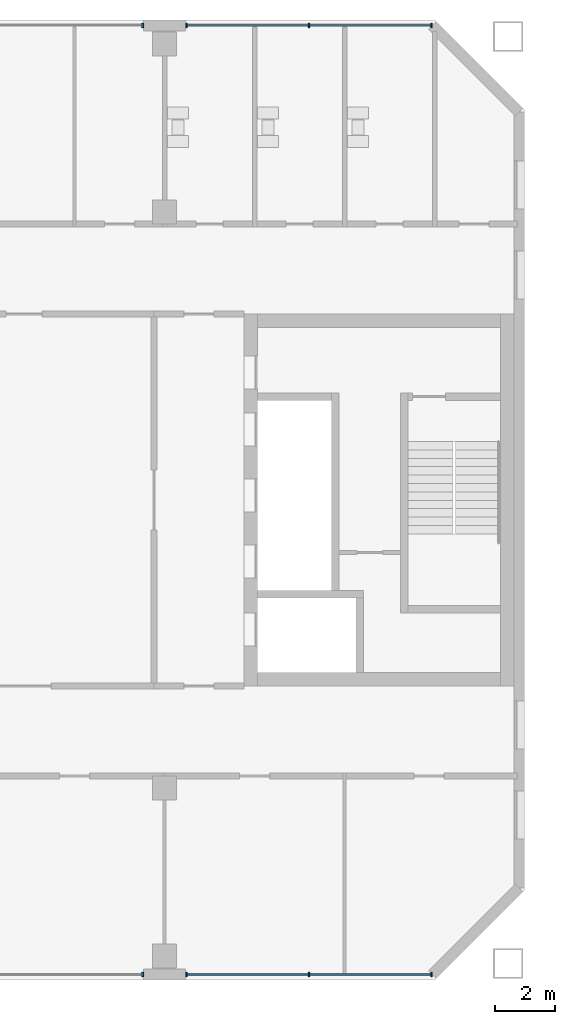
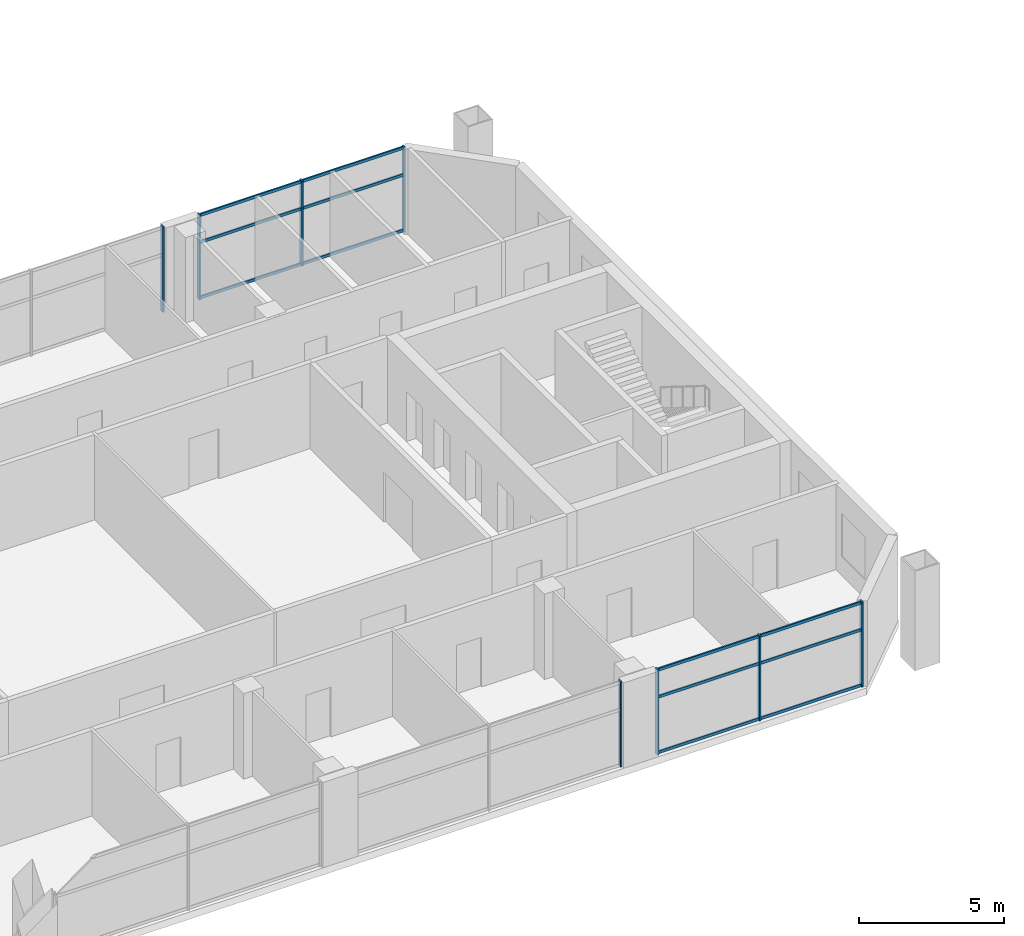
# One storey, part 4 of 19: 20 members, 4 elements without a shape of their own.
"""IFC4 building model written with IfcOpenShell, lengths in metres."""

from ifc_helpers import new_model, si_unit, direction, frame, origin, origin_2d, place, context, subcontext, project, spatial, rectangle, extrude, material, material_profile, profile_set, type_object, element, aggregate, save


model = new_model("IFC4")

# Units and contexts
model_context = context("Model", 3, precision=1e-05, world=origin(), true_north=direction((0.0, 1.0)))
body_context = subcontext(model_context, "Body", "Model", "MODEL_VIEW")
ifc_project = project(units=[si_unit("LENGTHUNIT", "METRE"), si_unit("AREAUNIT", "SQUARE_METRE"), si_unit("VOLUMEUNIT", "CUBIC_METRE"), si_unit("PLANEANGLEUNIT", "RADIAN"), si_unit("MASSUNIT", "GRAM", prefix="KILO")], contexts=[model_context])

# Site, building, storey
site_placement = place(None, origin())
site = spatial("IfcSite", under=ifc_project, at=site_placement, CompositionType="ELEMENT")
building_placement = place(site_placement, origin())
building = spatial("IfcBuilding", under=site, at=building_placement, Name="Tuart Gate Housing", CompositionType="ELEMENT")
storey_placement = place(building_placement, frame((0.0, 0.0, 171.60009765625)))
storey = spatial("IfcBuildingStorey", under=building, at=storey_placement, Name="L48", CompositionType="ELEMENT", Elevation=171.60009765625)

# Curtain wall, member
ifc_material_1 = material(Name="Aluminium and clear glass", Category="aluminium")
curtain_wall_type = type_object("IfcCurtainWallType", Name="Community floor glazing", PredefinedType="USERDEFINED", material=ifc_material_1)
curtain_wall_1_placement = place(storey_placement, origin())
curtain_wall_1 = element("IfcCurtainWall", 1, at=curtain_wall_1_placement, inside=storey, type_object=curtain_wall_type, Name="Community floor glazing A-S L48", ObjectType="COMMUNITY FLOOR GLAZING", PredefinedType="USERDEFINED")
ifc_material_2 = material(Name="Anodised aluminium", Category="aluminium")
ifc_material_profile_1 = material_profile(ifc_material_2, rectangle(XDim=0.06005859375, YDim=0.159912109375, at=origin_2d()), Name="60x160")
ifc_profile_set_1 = profile_set([ifc_material_profile_1], Name="Anodised aluminium")
member_type_1 = type_object("IfcMemberType", Name="Mullion 60 x 160", PredefinedType="MULLION", material=ifc_profile_set_1)
member_1_placement = place(storey_placement, frame((63.27001953125, 54.179931640625, 0.0), z_axis=(0.0, 0.0, 1.0), x_axis=(1.0, 0.0, 0.0)))
member_1 = element("IfcMember", 2, at=member_1_placement, type_object=member_type_1, Name="CW3 mullion 3", PredefinedType="MULLION", context=body_context, shape_type="SweptSolid", body=[
    extrude(rectangle(XDim=0.06005859375, YDim=0.159912109375, at=origin_2d()), origin(), (0.0, 0.0, 1.0), 3.599853515625),
])
aggregate(curtain_wall_1, [member_1])

# Curtain wall, members
curtain_wall_2_placement = place(storey_placement, origin())
curtain_wall_2 = element("IfcCurtainWall", 3, at=curtain_wall_2_placement, inside=storey, type_object=curtain_wall_type, Name="Community floor glazing A-S L48", ObjectType="COMMUNITY FLOOR GLAZING", PredefinedType="USERDEFINED")
member_2_placement = place(storey_placement, frame((64.72998046875, 54.179931640625, 0.0), z_axis=(0.0, 0.0, 1.0), x_axis=(1.0, 0.0, 0.0)))
member_2 = element("IfcMember", 4, at=member_2_placement, type_object=member_type_1, Name="CW3 mullion 1", PredefinedType="MULLION", context=body_context, shape_type="SweptSolid", body=[
    extrude(rectangle(XDim=0.06005859375, YDim=0.159912109375, at=origin_2d()), origin(), (0.0, 0.0, 1.0), 3.599853515625),
])
member_3_placement = place(storey_placement, frame((68.812744140625, 54.179931640625, 0.0), z_axis=(0.0, 0.0, 1.0), x_axis=(1.0, 0.0, 0.0)))
member_3 = element("IfcMember", 5, at=member_3_placement, type_object=member_type_1, Name="CW3 mullion 2", PredefinedType="MULLION", context=body_context, shape_type="SweptSolid", body=[
    extrude(rectangle(XDim=0.06005859375, YDim=0.159912109375, at=origin_2d()), origin(), (0.0, 0.0, 1.0), 3.599853515625),
])
member_4_placement = place(storey_placement, frame((72.8955078125, 54.179931640625, 0.0), z_axis=(0.0, 0.0, 1.0), x_axis=(1.0, 0.0, 0.0)))
member_4 = element("IfcMember", 6, at=member_4_placement, type_object=member_type_1, Name="CW3 mullion 3", PredefinedType="MULLION", context=body_context, shape_type="SweptSolid", body=[
    extrude(rectangle(XDim=0.06005859375, YDim=0.159912109375, at=origin_2d()), origin(), (0.0, 0.0, 1.0), 3.599853515625),
])

curtain_wall_3_placement = place(storey_placement, origin())
curtain_wall_3 = element("IfcCurtainWall", 7, at=curtain_wall_3_placement, inside=storey, type_object=curtain_wall_type, Name="Community floor glazing A-N L48", ObjectType="COMMUNITY FLOOR GLAZING", PredefinedType="USERDEFINED")
member_5_placement = place(storey_placement, frame((72.8955078125, 85.820068359375, 0.0), z_axis=(0.0, 0.0, 1.0), x_axis=(-1.0, 0.0, 0.0)))
member_5 = element("IfcMember", 8, at=member_5_placement, type_object=member_type_1, Name="CW3 mullion 1", PredefinedType="MULLION", context=body_context, shape_type="SweptSolid", body=[
    extrude(rectangle(XDim=0.06005859375, YDim=0.159912109375, at=origin_2d()), origin(), (0.0, 0.0, 1.0), 3.599853515625),
])
member_6_placement = place(storey_placement, frame((68.812744140625, 85.820068359375, 0.0), z_axis=(0.0, 0.0, 1.0), x_axis=(-1.0, 0.0, 0.0)))
member_6 = element("IfcMember", 9, at=member_6_placement, type_object=member_type_1, Name="CW3 mullion 2", PredefinedType="MULLION", context=body_context, shape_type="SweptSolid", body=[
    extrude(rectangle(XDim=0.06005859375, YDim=0.159912109375, at=origin_2d()), origin(), (0.0, 0.0, 1.0), 3.599853515625),
])
member_7_placement = place(storey_placement, frame((64.72998046875, 85.820068359375, 0.0), z_axis=(0.0, 0.0, 1.0), x_axis=(-1.0, 0.0, 0.0)))
member_7 = element("IfcMember", 10, at=member_7_placement, type_object=member_type_1, Name="CW3 mullion 3", PredefinedType="MULLION", context=body_context, shape_type="SweptSolid", body=[
    extrude(rectangle(XDim=0.06005859375, YDim=0.159912109375, at=origin_2d()), origin(), (0.0, 0.0, 1.0), 3.599853515625),
])

# Curtain wall, member
curtain_wall_4_placement = place(storey_placement, origin())
curtain_wall_4 = element("IfcCurtainWall", 11, at=curtain_wall_4_placement, inside=storey, type_object=curtain_wall_type, Name="Community floor glazing A-N L48", ObjectType="COMMUNITY FLOOR GLAZING", PredefinedType="USERDEFINED")
member_8_placement = place(storey_placement, frame((63.27001953125, 85.820068359375, 0.0), z_axis=(0.0, 0.0, 1.0), x_axis=(-1.0, 0.0, 0.0)))
member_8 = element("IfcMember", 12, at=member_8_placement, type_object=member_type_1, Name="CW3 mullion 1", PredefinedType="MULLION", context=body_context, shape_type="SweptSolid", body=[
    extrude(rectangle(XDim=0.06005859375, YDim=0.159912109375, at=origin_2d()), origin(), (0.0, 0.0, 1.0), 3.599853515625),
])
aggregate(curtain_wall_4, [member_8])

# Member
ifc_material_3 = material(Name="Anodised aluminium", Category="aluminium")
ifc_material_profile_2 = material_profile(ifc_material_3, rectangle(XDim=0.06005859375, YDim=0.1201171875, at=origin_2d()), Name="60x120")
ifc_profile_set_2 = profile_set([ifc_material_profile_2], Name="Anodised aluminium")
member_type_2 = type_object("IfcMemberType", Name="Transom 60 x 120", PredefinedType="USERDEFINED", material=ifc_profile_set_2)
member_9_placement = place(storey_placement, frame((64.760009765625, 54.179931640625, 0.059814453125), z_axis=(1.0, 0.0, 0.0), x_axis=(0.0, 1.0, 0.0)))
member_9 = element("IfcMember", 13, at=member_9_placement, type_object=member_type_2, Name="CW3 transom 1.1", ObjectType="TRANSOM", PredefinedType="USERDEFINED", context=body_context, shape_type="SweptSolid", body=[
    extrude(rectangle(XDim=0.06005859375, YDim=0.1201171875, at=origin_2d()), origin(), (0.0, 0.0, 1.0), 4.022705078125),
])

member_10_placement = place(storey_placement, frame((64.760009765625, 54.179931640625, 2.39990234375), z_axis=(1.0, 0.0, 0.0), x_axis=(0.0, 1.0, 0.0)))
member_10 = element("IfcMember", 14, at=member_10_placement, type_object=member_type_2, Name="CW3 transom 1.2", ObjectType="TRANSOM", PredefinedType="USERDEFINED", context=body_context, shape_type="SweptSolid", body=[
    extrude(rectangle(XDim=0.06005859375, YDim=0.1201171875, at=origin_2d()), origin(), (0.0, 0.0, 1.0), 4.022705078125),
])

member_11_placement = place(storey_placement, frame((64.760009765625, 54.179931640625, 3.539794921875), z_axis=(1.0, 0.0, 0.0), x_axis=(0.0, 1.0, 0.0)))
member_11 = element("IfcMember", 15, at=member_11_placement, type_object=member_type_2, Name="CW3 transom 1.3", ObjectType="TRANSOM", PredefinedType="USERDEFINED", context=body_context, shape_type="SweptSolid", body=[
    extrude(rectangle(XDim=0.06005859375, YDim=0.1201171875, at=origin_2d()), origin(), (0.0, 0.0, 1.0), 4.022705078125),
])

member_12_placement = place(storey_placement, frame((68.8427734375, 54.179931640625, 0.059814453125), z_axis=(1.0, 0.0, 0.0), x_axis=(0.0, 1.0, 0.0)))
member_12 = element("IfcMember", 16, at=member_12_placement, type_object=member_type_2, Name="CW3 transom 2.1", ObjectType="TRANSOM", PredefinedType="USERDEFINED", context=body_context, shape_type="SweptSolid", body=[
    extrude(rectangle(XDim=0.06005859375, YDim=0.1201171875, at=origin_2d()), origin(), (0.0, 0.0, 1.0), 4.022705078125),
])

member_13_placement = place(storey_placement, frame((68.8427734375, 54.179931640625, 2.39990234375), z_axis=(1.0, 0.0, 0.0), x_axis=(0.0, 1.0, 0.0)))
member_13 = element("IfcMember", 17, at=member_13_placement, type_object=member_type_2, Name="CW3 transom 2.2", ObjectType="TRANSOM", PredefinedType="USERDEFINED", context=body_context, shape_type="SweptSolid", body=[
    extrude(rectangle(XDim=0.06005859375, YDim=0.1201171875, at=origin_2d()), origin(), (0.0, 0.0, 1.0), 4.022705078125),
])

member_14_placement = place(storey_placement, frame((68.8427734375, 54.179931640625, 3.539794921875), z_axis=(1.0, 0.0, 0.0), x_axis=(0.0, 1.0, 0.0)))
member_14 = element("IfcMember", 18, at=member_14_placement, type_object=member_type_2, Name="CW3 transom 2.3", ObjectType="TRANSOM", PredefinedType="USERDEFINED", context=body_context, shape_type="SweptSolid", body=[
    extrude(rectangle(XDim=0.06005859375, YDim=0.1201171875, at=origin_2d()), origin(), (0.0, 0.0, 1.0), 4.022705078125),
])

aggregate(curtain_wall_2, [member_2, member_3, member_4, member_9, member_10, member_11, member_12, member_13, member_14])

member_15_placement = place(storey_placement, frame((72.865478515625, 85.820068359375, 0.059814453125), z_axis=(-1.0, 0.0, 0.0), x_axis=(0.0, -1.0, 0.0)))
member_15 = element("IfcMember", 19, at=member_15_placement, type_object=member_type_2, Name="CW3 transom 1.1", ObjectType="TRANSOM", PredefinedType="USERDEFINED", context=body_context, shape_type="SweptSolid", body=[
    extrude(rectangle(XDim=0.06005859375, YDim=0.1201171875, at=origin_2d()), origin(), (0.0, 0.0, 1.0), 4.022705078125),
])

member_16_placement = place(storey_placement, frame((72.865478515625, 85.820068359375, 2.39990234375), z_axis=(-1.0, 0.0, 0.0), x_axis=(0.0, -1.0, 0.0)))
member_16 = element("IfcMember", 20, at=member_16_placement, type_object=member_type_2, Name="CW3 transom 1.2", ObjectType="TRANSOM", PredefinedType="USERDEFINED", context=body_context, shape_type="SweptSolid", body=[
    extrude(rectangle(XDim=0.06005859375, YDim=0.1201171875, at=origin_2d()), origin(), (0.0, 0.0, 1.0), 4.022705078125),
])

member_17_placement = place(storey_placement, frame((72.865478515625, 85.820068359375, 3.539794921875), z_axis=(-1.0, 0.0, 0.0), x_axis=(0.0, -1.0, 0.0)))
member_17 = element("IfcMember", 21, at=member_17_placement, type_object=member_type_2, Name="CW3 transom 1.3", ObjectType="TRANSOM", PredefinedType="USERDEFINED", context=body_context, shape_type="SweptSolid", body=[
    extrude(rectangle(XDim=0.06005859375, YDim=0.1201171875, at=origin_2d()), origin(), (0.0, 0.0, 1.0), 4.022705078125),
])

member_18_placement = place(storey_placement, frame((68.78271484375, 85.820068359375, 0.059814453125), z_axis=(-1.0, 0.0, 0.0), x_axis=(0.0, -1.0, 0.0)))
member_18 = element("IfcMember", 22, at=member_18_placement, type_object=member_type_2, Name="CW3 transom 2.1", ObjectType="TRANSOM", PredefinedType="USERDEFINED", context=body_context, shape_type="SweptSolid", body=[
    extrude(rectangle(XDim=0.06005859375, YDim=0.1201171875, at=origin_2d()), origin(), (0.0, 0.0, 1.0), 4.022705078125),
])

member_19_placement = place(storey_placement, frame((68.78271484375, 85.820068359375, 2.39990234375), z_axis=(-1.0, 0.0, 0.0), x_axis=(0.0, -1.0, 0.0)))
member_19 = element("IfcMember", 23, at=member_19_placement, type_object=member_type_2, Name="CW3 transom 2.2", ObjectType="TRANSOM", PredefinedType="USERDEFINED", context=body_context, shape_type="SweptSolid", body=[
    extrude(rectangle(XDim=0.06005859375, YDim=0.1201171875, at=origin_2d()), origin(), (0.0, 0.0, 1.0), 4.022705078125),
])

member_20_placement = place(storey_placement, frame((68.78271484375, 85.820068359375, 3.539794921875), z_axis=(-1.0, 0.0, 0.0), x_axis=(0.0, -1.0, 0.0)))
member_20 = element("IfcMember", 24, at=member_20_placement, type_object=member_type_2, Name="CW3 transom 2.3", ObjectType="TRANSOM", PredefinedType="USERDEFINED", context=body_context, shape_type="SweptSolid", body=[
    extrude(rectangle(XDim=0.06005859375, YDim=0.1201171875, at=origin_2d()), origin(), (0.0, 0.0, 1.0), 4.022705078125),
])

aggregate(curtain_wall_3, [member_5, member_6, member_7, member_15, member_16, member_17, member_18, member_19, member_20])

save(model, "model.ifc")
